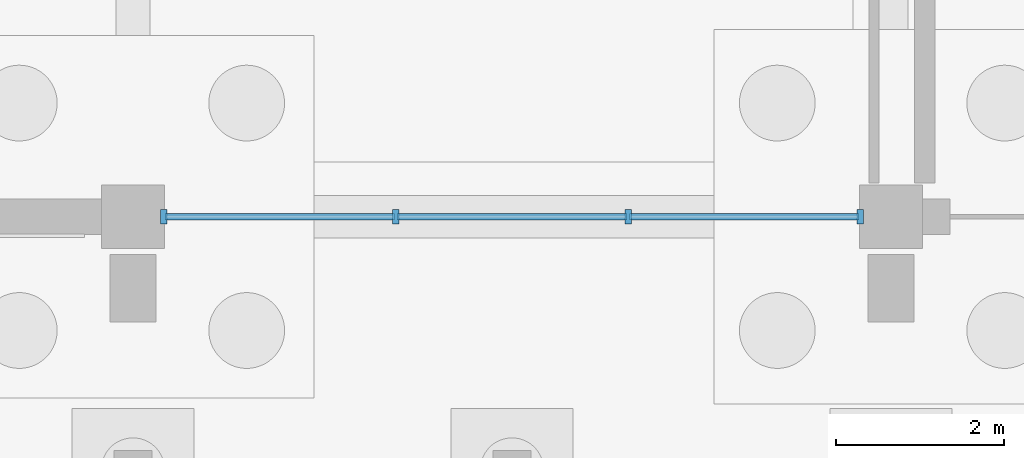
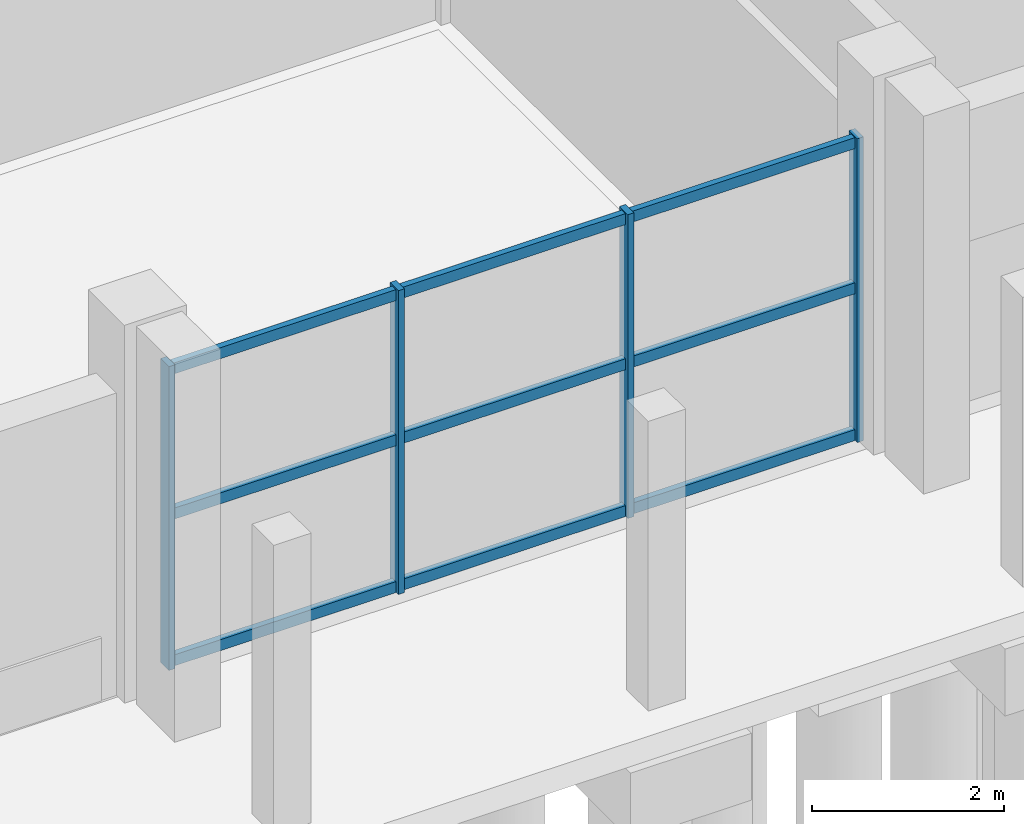
# One storey, part 52 of 112: 13 members, 1 element without a shape of its own.
"""IFC4 building model written with IfcOpenShell, lengths in metres."""

from ifc_helpers import new_model, si_unit, direction, frame, origin, origin_2d, place, context, subcontext, project, spatial, rectangle, extrude, material, material_profile, profile_set, type_object, element, aggregate, save


model = new_model("IFC4")

# Units and contexts
model_context = context("Model", 3, precision=1e-05, world=origin(), true_north=direction((0.0, 1.0)))
body_context = subcontext(model_context, "Body", "Model", "MODEL_VIEW")
ifc_project = project(units=[si_unit("LENGTHUNIT", "METRE"), si_unit("AREAUNIT", "SQUARE_METRE"), si_unit("VOLUMEUNIT", "CUBIC_METRE"), si_unit("PLANEANGLEUNIT", "RADIAN"), si_unit("MASSUNIT", "GRAM", prefix="KILO")], contexts=[model_context])

# Site, building, storey
site_placement = place(None, origin())
site = spatial("IfcSite", under=ifc_project, at=site_placement, CompositionType="ELEMENT")
building_placement = place(site_placement, origin())
building = spatial("IfcBuilding", under=site, at=building_placement, Name="Tharagai Park Tramway Depot", CompositionType="ELEMENT")
storey_placement = place(building_placement, origin())
storey = spatial("IfcBuildingStorey", under=building, at=storey_placement, Name="L00", CompositionType="ELEMENT", Elevation=0.0)

# Curtain wall, members
ifc_material = material(Name="Anodised aluminium", Category="aluminium")
curtain_wall_type = type_object("IfcCurtainWallType", Name="CW-05", PredefinedType="NOTDEFINED", material=ifc_material)
curtain_wall_placement = place(storey_placement, origin())
curtain_wall = element("IfcCurtainWall", 1, at=curtain_wall_placement, inside=storey, type_object=curtain_wall_type, Name="L00 V4 Gothic Mullioned Curtain Wall CW-05", PredefinedType="NOTDEFINED")
ifc_material_profile_1 = material_profile(ifc_material, rectangle(XDim=0.074951171875, YDim=0.175048828125, at=origin_2d()), Name="ALU 75x175")
ifc_profile_set_1 = profile_set([ifc_material_profile_1], Name="Anodised aluminium")
member_type_1 = type_object("IfcMemberType", Name="CM-02", PredefinedType="MULLION", material=ifc_profile_set_1)
member_1_placement = place(storey_placement, frame((27.364990234375, 0.0, -0.0048828125), z_axis=(0.0, 0.0, 1.0), x_axis=(1.0, 0.0, 0.0)))
member_1 = element("IfcMember", 2, at=member_1_placement, type_object=member_type_1, Name="L00 V4 Gothic Mullioned Curtain Wall Mullion 1", PredefinedType="MULLION", context=body_context, shape_type="SweptSolid", body=[
    extrude(rectangle(XDim=0.074951171875, YDim=0.175048828125, at=origin_2d()), origin(), (0.0, 0.0, 1.0), 3.85986328125),
])
member_2_placement = place(storey_placement, frame((30.12158203125, 0.0, -0.0048828125), z_axis=(0.0, 0.0, 1.0), x_axis=(1.0, 0.0, 0.0)))
member_2 = element("IfcMember", 3, at=member_2_placement, type_object=member_type_1, Name="L00 V4 Gothic Mullioned Curtain Wall Mullion 2", PredefinedType="MULLION", context=body_context, shape_type="SweptSolid", body=[
    extrude(rectangle(XDim=0.074951171875, YDim=0.175048828125, at=origin_2d()), origin(), (0.0, 0.0, 1.0), 3.85986328125),
])
member_3_placement = place(storey_placement, frame((32.87841796875, 0.0, -0.0048828125), z_axis=(0.0, 0.0, 1.0), x_axis=(1.0, 0.0, 0.0)))
member_3 = element("IfcMember", 4, at=member_3_placement, type_object=member_type_1, Name="L00 V4 Gothic Mullioned Curtain Wall Mullion 3", PredefinedType="MULLION", context=body_context, shape_type="SweptSolid", body=[
    extrude(rectangle(XDim=0.074951171875, YDim=0.175048828125, at=origin_2d()), origin(), (0.0, 0.0, 1.0), 3.85986328125),
])
member_4_placement = place(storey_placement, frame((35.635009765625, 0.0, -0.0048828125), z_axis=(0.0, 0.0, 1.0), x_axis=(1.0, 0.0, 0.0)))
member_4 = element("IfcMember", 5, at=member_4_placement, type_object=member_type_1, Name="L00 V4 Gothic Mullioned Curtain Wall Mullion 4", PredefinedType="MULLION", context=body_context, shape_type="SweptSolid", body=[
    extrude(rectangle(XDim=0.074951171875, YDim=0.175048828125, at=origin_2d()), origin(), (0.0, 0.0, 1.0), 3.85986328125),
])
ifc_material_profile_2 = material_profile(ifc_material, rectangle(XDim=0.074951171875, YDim=0.139892578125, at=origin_2d()), Name="ALU 75x140")
ifc_profile_set_2 = profile_set([ifc_material_profile_2], Name="Anodised aluminium")
member_type_2 = type_object("IfcMemberType", Name="CM-04", PredefinedType="USERDEFINED", material=ifc_profile_set_2)
member_5_placement = place(storey_placement, frame((27.3798828125, 0.0, 0.06005859375), z_axis=(1.0, 0.0, 0.0), x_axis=(0.0, 1.0, 0.0)))
member_5 = element("IfcMember", 6, at=member_5_placement, type_object=member_type_2, Name="L00 V4 Gothic Mullioned Curtain Wall Transom 1.1", ObjectType="TRANSOM", PredefinedType="USERDEFINED", context=body_context, shape_type="SweptSolid", body=[
    extrude(rectangle(XDim=0.074951171875, YDim=0.139892578125, at=origin_2d()), origin(), (0.0, 0.0, 1.0), 2.726806640625),
])
member_6_placement = place(storey_placement, frame((27.3798828125, 0.0, 1.925048828125), z_axis=(1.0, 0.0, 0.0), x_axis=(0.0, 1.0, 0.0)))
member_6 = element("IfcMember", 7, at=member_6_placement, type_object=member_type_2, Name="L00 V4 Gothic Mullioned Curtain Wall Transom 1.2", ObjectType="TRANSOM", PredefinedType="USERDEFINED", context=body_context, shape_type="SweptSolid", body=[
    extrude(rectangle(XDim=0.074951171875, YDim=0.139892578125, at=origin_2d()), origin(), (0.0, 0.0, 1.0), 2.726806640625),
])
member_7_placement = place(storey_placement, frame((27.3798828125, 0.0, 3.77001953125), z_axis=(1.0, 0.0, 0.0), x_axis=(0.0, 1.0, 0.0)))
member_7 = element("IfcMember", 8, at=member_7_placement, type_object=member_type_2, Name="L00 V4 Gothic Mullioned Curtain Wall Transom 1.3", ObjectType="TRANSOM", PredefinedType="USERDEFINED", context=body_context, shape_type="SweptSolid", body=[
    extrude(rectangle(XDim=0.074951171875, YDim=0.139892578125, at=origin_2d()), origin(), (0.0, 0.0, 1.0), 2.726806640625),
])
member_8_placement = place(storey_placement, frame((30.13671875, 0.0, 0.06005859375), z_axis=(1.0, 0.0, 0.0), x_axis=(0.0, 1.0, 0.0)))
member_8 = element("IfcMember", 9, at=member_8_placement, type_object=member_type_2, Name="L00 V4 Gothic Mullioned Curtain Wall Transom 2.1", ObjectType="TRANSOM", PredefinedType="USERDEFINED", context=body_context, shape_type="SweptSolid", body=[
    extrude(rectangle(XDim=0.074951171875, YDim=0.139892578125, at=origin_2d()), origin(), (0.0, 0.0, 1.0), 2.7265625),
])
member_9_placement = place(storey_placement, frame((30.13671875, 0.0, 1.925048828125), z_axis=(1.0, 0.0, 0.0), x_axis=(0.0, 1.0, 0.0)))
member_9 = element("IfcMember", 10, at=member_9_placement, type_object=member_type_2, Name="L00 V4 Gothic Mullioned Curtain Wall Transom 2.2", ObjectType="TRANSOM", PredefinedType="USERDEFINED", context=body_context, shape_type="SweptSolid", body=[
    extrude(rectangle(XDim=0.074951171875, YDim=0.139892578125, at=origin_2d()), origin(), (0.0, 0.0, 1.0), 2.7265625),
])
member_10_placement = place(storey_placement, frame((30.13671875, 0.0, 3.77001953125), z_axis=(1.0, 0.0, 0.0), x_axis=(0.0, 1.0, 0.0)))
member_10 = element("IfcMember", 11, at=member_10_placement, type_object=member_type_2, Name="L00 V4 Gothic Mullioned Curtain Wall Transom 2.3", ObjectType="TRANSOM", PredefinedType="USERDEFINED", context=body_context, shape_type="SweptSolid", body=[
    extrude(rectangle(XDim=0.074951171875, YDim=0.139892578125, at=origin_2d()), origin(), (0.0, 0.0, 1.0), 2.7265625),
])
member_11_placement = place(storey_placement, frame((32.893310546875, 0.0, 0.06005859375), z_axis=(1.0, 0.0, 0.0), x_axis=(0.0, 1.0, 0.0)))
member_11 = element("IfcMember", 12, at=member_11_placement, type_object=member_type_2, Name="L00 V4 Gothic Mullioned Curtain Wall Transom 3.1", ObjectType="TRANSOM", PredefinedType="USERDEFINED", context=body_context, shape_type="SweptSolid", body=[
    extrude(rectangle(XDim=0.074951171875, YDim=0.139892578125, at=origin_2d()), origin(), (0.0, 0.0, 1.0), 2.726806640625),
])
member_12_placement = place(storey_placement, frame((32.893310546875, 0.0, 1.925048828125), z_axis=(1.0, 0.0, 0.0), x_axis=(0.0, 1.0, 0.0)))
member_12 = element("IfcMember", 13, at=member_12_placement, type_object=member_type_2, Name="L00 V4 Gothic Mullioned Curtain Wall Transom 3.2", ObjectType="TRANSOM", PredefinedType="USERDEFINED", context=body_context, shape_type="SweptSolid", body=[
    extrude(rectangle(XDim=0.074951171875, YDim=0.139892578125, at=origin_2d()), origin(), (0.0, 0.0, 1.0), 2.726806640625),
])
member_13_placement = place(storey_placement, frame((32.893310546875, 0.0, 3.77001953125), z_axis=(1.0, 0.0, 0.0), x_axis=(0.0, 1.0, 0.0)))
member_13 = element("IfcMember", 14, at=member_13_placement, type_object=member_type_2, Name="L00 V4 Gothic Mullioned Curtain Wall Transom 3.3", ObjectType="TRANSOM", PredefinedType="USERDEFINED", context=body_context, shape_type="SweptSolid", body=[
    extrude(rectangle(XDim=0.074951171875, YDim=0.139892578125, at=origin_2d()), origin(), (0.0, 0.0, 1.0), 2.726806640625),
])
aggregate(curtain_wall, [member_1, member_2, member_3, member_4, member_5, member_6, member_7, member_8, member_9, member_10, member_11, member_12, member_13])

save(model, "model.ifc")
